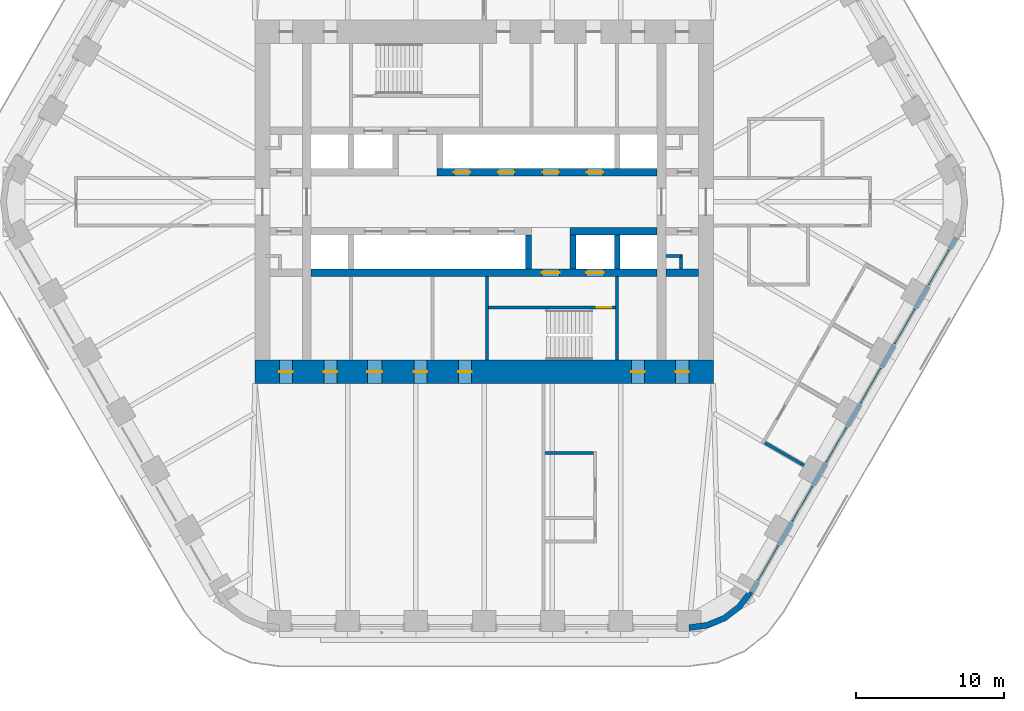
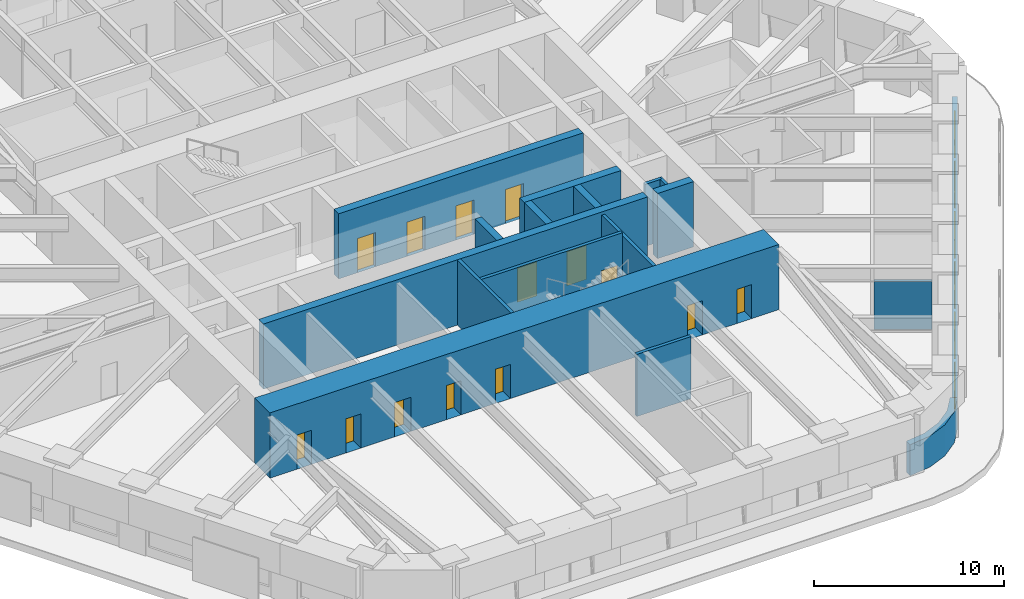
# One storey, part 15 of 20: 17 walls, 14 doors, 6 windows, 20 openings.
"""IFC4 building model written with IfcOpenShell, lengths in metres."""

import ifcopenshell
import ifcopenshell.guid

model = None  # the IFC model being written
_history = None  # IfcOwnerHistory: only IFC2X3 demands one
_inside = {}  # id of a spatial element -> (the spatial element, [elements in it])
_under = {}  # id of a project, library or spatial element -> (it, [spatial elements below it])
_declared = {}  # id of a project -> (the project, [libraries it declares])
_typed = {}  # id of a type object -> (the type object, [elements of that type])
_made_of = {}  # id of a material, layer set ... -> (it, [elements and type objects made of it])


def new_model(schema):
    """Start an empty IFC model of exactly this schema.

    Asked for "IFC4X3", IfcOpenShell would pick the latest addendum, in which some entities
    have other attributes; the version numbers below select the first issue.
    IFC2X3 requires an IfcOwnerHistory on every rooted entity: one is made here for all.
    """
    global model, _history
    if schema == "IFC4X3":
        model = ifcopenshell.file(schema_version=(4, 3, 0, 0))
    else:
        model = ifcopenshell.file(schema=schema)
    _inside.clear()
    _under.clear()
    _declared.clear()
    _typed.clear()
    _made_of.clear()
    _history = None
    if model.schema == "IFC2X3":
        org = make("IfcOrganization", Name="unknown")
        user = make(
            "IfcPersonAndOrganization",
            ThePerson=make("IfcPerson", FamilyName="unknown"),
            TheOrganization=org,
        )
        app = make(
            "IfcApplication",
            ApplicationDeveloper=org,
            Version="unknown",
            ApplicationFullName="unknown",
            ApplicationIdentifier="unknown",
        )
        _history = make(
            "IfcOwnerHistory",
            OwningUser=user,
            OwningApplication=app,
            ChangeAction="ADDED",
            CreationDate=0,
        )
    return model


def make(cls, **values):
    """One entity of the class cls with the attributes given. An attribute that is None is left unset."""
    return model.create_entity(
        cls, **{name: value for name, value in values.items() if value is not None}
    )


def rooted(cls, **values):
    """An entity with a GlobalId (a new one), such as an element, a storey or a relation."""
    return make(cls, GlobalId=ifcopenshell.guid.new(), OwnerHistory=_history, **values)


def si_unit(unit_type, name, prefix=None):
    """IfcSIUnit, for example si_unit("LENGTHUNIT", "METRE", prefix="MILLI")."""
    return make("IfcSIUnit", UnitType=unit_type, Prefix=prefix, Name=name)


def assignment(units):
    """IfcUnitAssignment: the units of a project."""
    return None if units is None else make("IfcUnitAssignment", Units=units)


def point(xyz):
    """IfcCartesianPoint."""
    return None if xyz is None else make("IfcCartesianPoint", Coordinates=xyz)


def direction(xyz):
    """IfcDirection."""
    return None if xyz is None else make("IfcDirection", DirectionRatios=xyz)


def frame(location, z_axis=None, x_axis=None):
    """IfcAxis2Placement3D, a coordinate frame: its origin and axes. An axis left out is left unset."""
    return make(
        "IfcAxis2Placement3D",
        Location=point(location),
        Axis=direction(z_axis),
        RefDirection=direction(x_axis),
    )


def frame_2d(location, x_axis=None):
    """IfcAxis2Placement2D, a coordinate frame in the plane: its origin and x axis."""
    return make(
        "IfcAxis2Placement2D", Location=point(location), RefDirection=direction(x_axis)
    )


def origin():
    """The frame at (0, 0, 0) with its axes left unset."""
    return frame((0.0, 0.0, 0.0))


def place(relative_to, where):
    """IfcLocalPlacement: puts the frame where relative to a parent placement (None: the world)."""
    return make(
        "IfcLocalPlacement", PlacementRelTo=relative_to, RelativePlacement=where
    )


def context(
    kind, dimensions, precision=None, world=None, true_north=None, identifier=None
):
    """IfcGeometricRepresentationContext, for example the 3D "Model" context."""
    return make(
        "IfcGeometricRepresentationContext",
        ContextIdentifier=identifier,
        ContextType=kind,
        CoordinateSpaceDimension=dimensions,
        Precision=precision,
        WorldCoordinateSystem=world,
        TrueNorth=true_north,
    )


def subcontext(parent, identifier, kind, view, scale=None):
    """IfcGeometricRepresentationSubContext, for example "Body" below "Model"."""
    return make(
        "IfcGeometricRepresentationSubContext",
        ContextIdentifier=identifier,
        ContextType=kind,
        ParentContext=parent,
        TargetScale=scale,
        TargetView=view,
    )


def project(units=None, contexts=None):
    """IfcProject with its units and contexts."""
    return rooted(
        "IfcProject",
        Name="project",
        RepresentationContexts=contexts,
        UnitsInContext=assignment(units),
    )


def spatial(cls, under=None, at=None, **own):
    """A site, building, storey or space (cls), placed at a placement, below another one or the project."""
    s = rooted(cls, ObjectPlacement=at, **own)
    if under is not None:
        _under.setdefault(under.id(), (under, []))[1].append(s)
    return s


def polyline(points):
    """IfcPolyline through the points."""
    return make("IfcPolyline", Points=[point(p) for p in points])


def profile(cls, at=None, kind="AREA", **sizes):
    """A parametric profile (cls). Its sizes go by their IFC names, for example OverallWidth=200.0."""
    return make(cls, ProfileType=kind, Position=at, **sizes)


def rectangle(**sizes):
    """IfcRectangleProfileDef."""
    return profile("IfcRectangleProfileDef", **sizes)


def outline(outer, holes=None, kind="AREA"):
    """IfcArbitraryClosedProfileDef: a profile drawn as a closed curve; with holes, ...WithVoids."""
    if holes is None:
        return make("IfcArbitraryClosedProfileDef", ProfileType=kind, OuterCurve=outer)
    return make(
        "IfcArbitraryProfileDefWithVoids",
        ProfileType=kind,
        OuterCurve=outer,
        InnerCurves=holes,
    )


def extrude(swept, where, along, depth):
    """IfcExtrudedAreaSolid: the profile swept, set in the frame where, extruded along a direction by depth."""
    return make(
        "IfcExtrudedAreaSolid",
        SweptArea=swept,
        Position=where,
        ExtrudedDirection=direction(along),
        Depth=depth,
    )


def shape(context_of_items, identifier, shape_type, items):
    """IfcShapeRepresentation: the items that make up one representation, for example the "Body"."""
    return make(
        "IfcShapeRepresentation",
        ContextOfItems=context_of_items,
        RepresentationIdentifier=identifier,
        RepresentationType=shape_type,
        Items=items,
    )


def material(Name=None, Category=None):
    """IfcMaterial."""
    return make("IfcMaterial", Name=Name, Category=Category)


def layer(
    of_material, thickness, ventilated=None, Name=None, Category=None, Priority=None
):
    """IfcMaterialLayer: one layer of a wall or slab, of a material (None: an air gap)."""
    return make(
        "IfcMaterialLayer",
        Material=of_material,
        LayerThickness=thickness,
        IsVentilated=ventilated,
        Name=Name,
        Category=Category,
        Priority=Priority,
    )


def layer_set(layers, Name=None):
    """IfcMaterialLayerSet."""
    return make("IfcMaterialLayerSet", MaterialLayers=layers, LayerSetName=Name)


def made_of(thing, what):
    """Note that an element or type object is made of a material, layer set ...; save() writes the relation."""
    if what is not None:
        _made_of.setdefault(what.id(), (what, []))[1].append(thing)
    return thing


def type_object(cls, material=None, **own):
    """A type object (cls), such as IfcWallType, which elements share."""
    return made_of(rooted(cls, **own), material)


def element(
    cls,
    number,
    at=None,
    inside=None,
    cuts=None,
    type_object=None,
    material=None,
    context=None,
    identifier="Body",
    shape_type=None,
    held_by="IfcProductDefinitionShape",
    body=None,
    shapes=None,
    **own,
):
    """One element of the class cls, such as IfcWall. Its Tag is "e" and its number.

    at: its placement. inside: the storey or other place that contains it. cuts: it is an
    opening in that element (IfcRelVoidsElement). A single representation is given by context,
    identifier, shape_type and body (its items); several are given by shapes. held_by: the class
    of the entity that holds the representations. save() writes the other relations.
    """
    e = rooted(cls, Tag="e%d" % number, ObjectPlacement=at, **own)
    if body is not None:
        shapes = [shape(context, identifier, shape_type, body)]
    if shapes is not None:
        e.Representation = make(held_by, Representations=shapes)
    if inside is not None:
        _inside.setdefault(inside.id(), (inside, []))[1].append(e)
    if cuts is not None:
        rooted(
            "IfcRelVoidsElement", RelatingBuildingElement=cuts, RelatedOpeningElement=e
        )
    if type_object is not None:
        _typed.setdefault(type_object.id(), (type_object, []))[1].append(e)
    return made_of(e, material)


def fill(opening, filler):
    """IfcRelFillsElement: the door or window that sits in an opening."""
    return rooted(
        "IfcRelFillsElement",
        RelatingOpeningElement=opening,
        RelatedBuildingElement=filler,
    )


def aggregate(whole, parts):
    """IfcRelAggregates: a whole, such as a stair, and the parts it consists of."""
    return rooted("IfcRelAggregates", RelatingObject=whole, RelatedObjects=parts)


def save(model, path):
    """Write the relations noted so far, then the file.

    IfcRelAggregates (storeys below a building ...), IfcRelContainedInSpatialStructure (elements
    in a storey), IfcRelDefinesByType, IfcRelAssociatesMaterial and IfcRelDeclares: one each for
    every whole, place, type object, material and project.
    """
    for whole, parts in _under.values():
        aggregate(whole, parts)
    for where, things in _inside.values():
        rooted(
            "IfcRelContainedInSpatialStructure",
            RelatedElements=things,
            RelatingStructure=where,
        )
    for kind, things in _typed.values():
        rooted("IfcRelDefinesByType", RelatedObjects=things, RelatingType=kind)
    for what, things in _made_of.values():
        rooted("IfcRelAssociatesMaterial", RelatedObjects=things, RelatingMaterial=what)
    for by, libraries in _declared.values():
        rooted("IfcRelDeclares", RelatingContext=by, RelatedDefinitions=libraries)
    model.write(path)


model = new_model("IFC4")

# Units and contexts
model_context = context("Model", 3, precision=1e-05, world=origin(), true_north=direction((0.0, 1.0)))
body_context = subcontext(model_context, "Body", "Model", "MODEL_VIEW")
ifc_project = project(units=[si_unit("LENGTHUNIT", "METRE"), si_unit("AREAUNIT", "SQUARE_METRE"), si_unit("VOLUMEUNIT", "CUBIC_METRE"), si_unit("PLANEANGLEUNIT", "RADIAN"), si_unit("MASSUNIT", "GRAM", prefix="KILO")], contexts=[model_context])

# Site, building, storey
site_placement = place(None, origin())
site = spatial("IfcSite", under=ifc_project, at=site_placement, CompositionType="ELEMENT")
building_placement = place(site_placement, origin())
building = spatial("IfcBuilding", under=site, at=building_placement, Name="Tarfa Lantern Tower", CompositionType="ELEMENT")
storey_placement = place(building_placement, frame((0.0, 0.0, 223.89990234375)))
storey = spatial("IfcBuildingStorey", under=building, at=storey_placement, Name="L50", CompositionType="ELEMENT", Elevation=223.89990234375)

# Wall, openings, windows
ifc_material_1 = material(Name="Limestone cladding on blockwork", Category="masonry")
ifc_layer_1 = layer(ifc_material_1, 0.300048828125)
ifc_layer_set_1 = layer_set([ifc_layer_1], Name="EW1 STONE-CLAD WALL 300")
wall_type_1 = type_object("IfcWallType", Name="EW1 STONE-CLAD WALL 300", PredefinedType="SOLIDWALL", material=ifc_layer_set_1)
wall_1_placement = place(storey_placement, frame((18.056640625, -26.425048828125, 0.0), z_axis=(0.0, 0.0, 1.0), x_axis=(0.500001051461, 0.866024796723, 0.0)))
wall_1 = element("IfcWall", 1, at=wall_1_placement, inside=storey, type_object=wall_type_1, Name="Stone wall SE", PredefinedType="SOLIDWALL", context=body_context, shape_type="SweptSolid", body=[
    extrude(rectangle(XDim=27.712890625, YDim=0.300048828125, at=frame_2d((13.8564453125, 0.0))), origin(), (0.0, 0.0, 1.0), 2.0),
])
opening_1_placement = place(wall_1_placement, frame((0.95947265625, 0.0, 0.60009765625)))
opening_1 = element("IfcOpeningElement", 2, at=opening_1_placement, cuts=wall_1, Name="Opening W13", PredefinedType="OPENING", context=body_context, shape_type="SweptSolid", body=[
    extrude(rectangle(XDim=2.699951171875, YDim=1.14990234375, at=frame_2d((1.35009765625, 0.574951171875))), frame((0.0, 0.159912109375, 0.0), z_axis=(0.0, -1.0, 0.0), x_axis=(1.0, 0.0, 0.0)), (0.0, 0.0, 1.0), 0.320068359375),
])
opening_2_placement = place(wall_1_placement, frame((5.578125, 0.0, 0.60009765625)))
opening_2 = element("IfcOpeningElement", 3, at=opening_2_placement, cuts=wall_1, Name="Opening W13", PredefinedType="OPENING", context=body_context, shape_type="SweptSolid", body=[
    extrude(rectangle(XDim=2.699951171875, YDim=1.14990234375, at=frame_2d((1.35009765625, 0.574951171875))), frame((0.0, 0.159912109375, 0.0), z_axis=(0.0, -1.0, 0.0), x_axis=(1.0, 0.0, 0.0)), (0.0, 0.0, 1.0), 0.320068359375),
])
opening_3_placement = place(wall_1_placement, frame((10.197021484375, 0.0, 0.60009765625)))
opening_3 = element("IfcOpeningElement", 4, at=opening_3_placement, cuts=wall_1, Name="Opening W13", PredefinedType="OPENING", context=body_context, shape_type="SweptSolid", body=[
    extrude(rectangle(XDim=2.699951171875, YDim=1.14990234375, at=frame_2d((1.35009765625, 0.574951171875))), frame((0.0, 0.159912109375, 0.0), z_axis=(0.0, -1.0, 0.0), x_axis=(1.0, 0.0, 0.0)), (0.0, 0.0, 1.0), 0.320068359375),
])
opening_4_placement = place(wall_1_placement, frame((14.81591796875, 0.0, 0.60009765625)))
opening_4 = element("IfcOpeningElement", 5, at=opening_4_placement, cuts=wall_1, Name="Opening W13", PredefinedType="OPENING", context=body_context, shape_type="SweptSolid", body=[
    extrude(rectangle(XDim=2.699951171875, YDim=1.14990234375, at=frame_2d((1.35009765625, 0.574951171875))), frame((0.0, 0.159912109375, 0.0), z_axis=(0.0, -1.0, 0.0), x_axis=(1.0, 0.0, 0.0)), (0.0, 0.0, 1.0), 0.320068359375),
])
opening_5_placement = place(wall_1_placement, frame((19.4345703125, 0.0, 0.60009765625)))
opening_5 = element("IfcOpeningElement", 6, at=opening_5_placement, cuts=wall_1, Name="Opening W13", PredefinedType="OPENING", context=body_context, shape_type="SweptSolid", body=[
    extrude(rectangle(XDim=2.699951171875, YDim=1.14990234375, at=frame_2d((1.35009765625, 0.574951171875))), frame((0.0, 0.159912109375, 0.0), z_axis=(0.0, -1.0, 0.0), x_axis=(1.0, 0.0, 0.0)), (0.0, 0.0, 1.0), 0.320068359375),
])
opening_6_placement = place(wall_1_placement, frame((24.053466796875, 0.0, 0.60009765625)))
opening_6 = element("IfcOpeningElement", 7, at=opening_6_placement, cuts=wall_1, Name="Opening W13", PredefinedType="OPENING", context=body_context, shape_type="SweptSolid", body=[
    extrude(rectangle(XDim=2.699951171875, YDim=1.14990234375, at=frame_2d((1.35009765625, 0.574951171875))), frame((0.0, 0.159912109375, 0.0), z_axis=(0.0, -1.0, 0.0), x_axis=(1.0, 0.0, 0.0)), (0.0, 0.0, 1.0), 0.320068359375),
])
ifc_material_2 = material(Name="Aluminium frame, double glazed", Category="aluminium")
window_type = type_object("IfcWindowType", Name="W13 FULL-HEIGHT GLAZING 2700x1150", PartitioningType="SINGLE_PANEL", PredefinedType="WINDOW", material=ifc_material_2)
window_1_placement = place(opening_1_placement, origin())
window_1 = element("IfcWindow", 8, at=window_1_placement, inside=storey, type_object=window_type, Name="Window SE 1", OverallHeight=1.14990234375, OverallWidth=2.699951171875, PartitioningType="SINGLE_PANEL", PredefinedType="WINDOW", context=body_context, shape_type="SweptSolid", body=[
    extrude(rectangle(XDim=2.699951171875, YDim=1.14990234375, at=frame_2d((1.35009765625, 0.574951171875))), frame((0.0, 0.030029296875, 0.0), z_axis=(0.0, -1.0, 0.0), x_axis=(1.0, 0.0, 0.0)), (0.0, 0.0, 1.0), 0.06005859375),
])
fill(opening_1, window_1)
window_2_placement = place(opening_2_placement, origin())
window_2 = element("IfcWindow", 9, at=window_2_placement, inside=storey, type_object=window_type, Name="Window SE 2", OverallHeight=1.14990234375, OverallWidth=2.699951171875, PartitioningType="SINGLE_PANEL", PredefinedType="WINDOW", context=body_context, shape_type="SweptSolid", body=[
    extrude(rectangle(XDim=2.699951171875, YDim=1.14990234375, at=frame_2d((1.35009765625, 0.574951171875))), frame((0.0, 0.030029296875, 0.0), z_axis=(0.0, -1.0, 0.0), x_axis=(1.0, 0.0, 0.0)), (0.0, 0.0, 1.0), 0.06005859375),
])
fill(opening_2, window_2)
window_3_placement = place(opening_3_placement, origin())
window_3 = element("IfcWindow", 10, at=window_3_placement, inside=storey, type_object=window_type, Name="Window SE 3", OverallHeight=1.14990234375, OverallWidth=2.699951171875, PartitioningType="SINGLE_PANEL", PredefinedType="WINDOW", context=body_context, shape_type="SweptSolid", body=[
    extrude(rectangle(XDim=2.699951171875, YDim=1.14990234375, at=frame_2d((1.35009765625, 0.574951171875))), frame((0.0, 0.030029296875, 0.0), z_axis=(0.0, -1.0, 0.0), x_axis=(1.0, 0.0, 0.0)), (0.0, 0.0, 1.0), 0.06005859375),
])
fill(opening_3, window_3)
window_4_placement = place(opening_4_placement, origin())
window_4 = element("IfcWindow", 11, at=window_4_placement, inside=storey, type_object=window_type, Name="Window SE 4", OverallHeight=1.14990234375, OverallWidth=2.699951171875, PartitioningType="SINGLE_PANEL", PredefinedType="WINDOW", context=body_context, shape_type="SweptSolid", body=[
    extrude(rectangle(XDim=2.699951171875, YDim=1.14990234375, at=frame_2d((1.35009765625, 0.574951171875))), frame((0.0, 0.030029296875, 0.0), z_axis=(0.0, -1.0, 0.0), x_axis=(1.0, 0.0, 0.0)), (0.0, 0.0, 1.0), 0.06005859375),
])
fill(opening_4, window_4)
window_5_placement = place(opening_5_placement, origin())
window_5 = element("IfcWindow", 12, at=window_5_placement, inside=storey, type_object=window_type, Name="Window SE 5", OverallHeight=1.14990234375, OverallWidth=2.699951171875, PartitioningType="SINGLE_PANEL", PredefinedType="WINDOW", context=body_context, shape_type="SweptSolid", body=[
    extrude(rectangle(XDim=2.699951171875, YDim=1.14990234375, at=frame_2d((1.35009765625, 0.574951171875))), frame((0.0, 0.030029296875, 0.0), z_axis=(0.0, -1.0, 0.0), x_axis=(1.0, 0.0, 0.0)), (0.0, 0.0, 1.0), 0.06005859375),
])
fill(opening_5, window_5)
window_6_placement = place(opening_6_placement, origin())
window_6 = element("IfcWindow", 13, at=window_6_placement, inside=storey, type_object=window_type, Name="Window SE 6", OverallHeight=1.14990234375, OverallWidth=2.699951171875, PartitioningType="SINGLE_PANEL", PredefinedType="WINDOW", context=body_context, shape_type="SweptSolid", body=[
    extrude(rectangle(XDim=2.699951171875, YDim=1.14990234375, at=frame_2d((1.35009765625, 0.574951171875))), frame((0.0, 0.030029296875, 0.0), z_axis=(0.0, -1.0, 0.0), x_axis=(1.0, 0.0, 0.0)), (0.0, 0.0, 1.0), 0.06005859375),
])
fill(opening_6, window_6)

# Walls
ifc_layer_2 = layer(ifc_material_1, 0.39990234375)
ifc_layer_set_2 = layer_set([ifc_layer_2], Name="EW2 CURVED STONE CORNER 400")
wall_type_2 = type_object("IfcWallType", Name="EW2 CURVED STONE CORNER 400", PredefinedType="SOLIDWALL", material=ifc_layer_set_2)
wall_2_placement = place(storey_placement, origin())
element("IfcWall", 14, at=wall_2_placement, inside=storey, type_object=wall_type_2, Name="Stone corner S-SE", PredefinedType="SOLIDWALL", context=body_context, shape_type="SweptSolid", body=[
    extrude(outline(polyline([(13.8564453125, -29.0), (15.150390625, -28.82958984375), (16.3564453125, -28.330078125), (17.391845703125, -27.53564453125), (18.1865234375, -26.5), (17.840087890625, -26.300048828125), (17.109130859375, -27.252685546875), (16.156494140625, -27.983642578125), (15.046875, -28.443359375), (13.8564453125, -28.60009765625), (13.8564453125, -29.0)])), origin(), (0.0, 0.0, 1.0), 2.0),
])
ifc_material_3 = material(Name="Concrete blockwork", Category="masonry")
ifc_layer_3 = layer(ifc_material_3, 0.199951171875)
ifc_layer_set_3 = layer_set([ifc_layer_3], Name="IW1 BLOCKWORK PARTITION 200 EI 120")
wall_type_3 = type_object("IfcWallType", Name="IW1 BLOCKWORK PARTITION 200 EI 120", PredefinedType="PARTITIONING", material=ifc_layer_set_3)
wall_3_placement = place(storey_placement, frame((9.0, -5.050048828125, 0.0), z_axis=(0.0, 0.0, 1.0), x_axis=(0.0, -1.0, 0.0)))
element("IfcWall", 15, at=wall_3_placement, inside=storey, type_object=wall_type_3, Name="Core partition", PredefinedType="PARTITIONING", context=body_context, shape_type="SweptSolid", body=[
    extrude(rectangle(XDim=5.64990234375, YDim=0.199951171875, at=frame_2d((2.824951171875, 0.0))), origin(), (0.0, 0.0, 1.0), 4.0),
])
for number, where, z_axis, x_axis, name in (
    (16, (13.300048828125, -3.64990234375, 0.0), (0.0, 0.0, 1.0), (-1.0, 0.0, 0.0), "Core partition"),
    (17, (13.300048828125, -3.550048828125, 0.0), (0.0, 0.0, 1.0), (0.0, -1.0, 0.0), "Core partition"),
):
    element("IfcWall", number, at=place(storey_placement, frame(where, z_axis=z_axis, x_axis=x_axis)), inside=storey, type_object=wall_type_3, Name=name, PredefinedType="PARTITIONING", context=body_context, shape_type="SweptSolid", body=[
        extrude(rectangle(XDim=1.0, YDim=0.199951171875, at=frame_2d((0.5, 0.0))), origin(), (0.0, 0.0, 1.0), 4.0),
    ])
ifc_material_4 = material(Name="Gypsum board on steel studs", Category="steel")
ifc_layer_4 = layer(ifc_material_4, 0.2099609375)
ifc_layer_set_4 = layer_set([ifc_layer_4], Name="IW2 ACOUSTIC PARTITION 200")
wall_type_4 = type_object("IfcWallType", Name="IW2 ACOUSTIC PARTITION 200", PredefinedType="PARTITIONING", material=ifc_layer_set_4)
wall_4_placement = place(storey_placement, frame((18.994873046875, -16.300048828125, 0.0), z_axis=(0.0, 0.0, 1.0), x_axis=(0.866037623948, -0.499978833458, 0.0)))
element("IfcWall", 18, at=wall_4_placement, inside=storey, type_object=wall_type_4, Name="Partition", PredefinedType="PARTITIONING", context=body_context, shape_type="SweptSolid", body=[
    extrude(rectangle(XDim=3.050048828125, YDim=0.199951171875, at=frame_2d((1.52490234375, 0.0))), origin(), (0.0, 0.0, 1.0), 3.081787109375),
])
wall_5_placement = place(storey_placement, frame((4.10009765625, -16.97509765625, 0.0), z_axis=(0.0, 0.0, 1.0), x_axis=(1.0, 0.0, 0.0)))
element("IfcWall", 19, at=wall_5_placement, inside=storey, type_object=wall_type_4, Name="Partition", PredefinedType="PARTITIONING", context=body_context, shape_type="SweptSolid", body=[
    extrude(rectangle(XDim=3.2998046875, YDim=0.199951171875, at=frame_2d((1.64990234375, 0.0))), origin(), (0.0, 0.0, 1.0), 4.0),
])
ifc_material_5 = material(Name="Concrete C80/95", Category="concrete")
ifc_layer_5 = layer(ifc_material_5, 0.199951171875)
ifc_layer_set_5 = layer_set([ifc_layer_5], Name="SW12 CORE WALL 200")
wall_type_5 = type_object("IfcWallType", Name="SW12 CORE WALL 200", PredefinedType="SHEAR", material=ifc_layer_set_5)
wall_6_placement = place(storey_placement, frame((0.199951171875, -5.050048828125, 0.0), z_axis=(0.0, 0.0, 1.0), x_axis=(0.0, -1.0, 0.0)))
element("IfcWall", 20, at=wall_6_placement, inside=storey, type_object=wall_type_5, Name="Core wall stair shaft S", PredefinedType="SHEAR", context=body_context, shape_type="SweptSolid", body=[
    extrude(rectangle(XDim=5.64990234375, YDim=0.199951171875, at=frame_2d((2.824951171875, 0.0))), origin(), (0.0, 0.0, 1.0), 4.2001953125),
])

# Wall, opening, door
wall_7_placement = place(storey_placement, frame((8.89990234375, -7.14990234375, 0.0), z_axis=(0.0, 0.0, 1.0), x_axis=(-1.0, 0.0, 0.0)))
wall_7 = element("IfcWall", 21, at=wall_7_placement, inside=storey, type_object=wall_type_5, Name="Core wall stair partition S", PredefinedType="SHEAR", context=body_context, shape_type="SweptSolid", body=[
    extrude(rectangle(XDim=8.599853515625, YDim=0.199951171875, at=frame_2d((4.2998046875, 0.0))), origin(), (0.0, 0.0, 1.0), 4.2001953125),
])
opening_7_placement = place(wall_7_placement, frame((0.300048828125, 0.0, 0.0)))
opening_7 = element("IfcOpeningElement", 22, at=opening_7_placement, cuts=wall_7, Name="Opening D24", PredefinedType="OPENING", context=body_context, shape_type="SweptSolid", body=[
    extrude(rectangle(XDim=1.0, YDim=2.199951171875, at=frame_2d((0.5, 1.10009765625))), frame((0.0, 0.10986328125, 0.0), z_axis=(0.0, -1.0, 0.0), x_axis=(1.0, 0.0, 0.0)), (0.0, 0.0, 1.0), 0.219970703125),
])
ifc_material_6 = material(Name="Steel fire door", Category="steel")
door_type_1 = type_object("IfcDoorType", Name="DF2 STAIR DOOR 1000x2200", OperationType="SINGLE_SWING_LEFT", PredefinedType="DOOR", material=ifc_material_6)
door_1_placement = place(opening_7_placement, origin())
door_1 = element("IfcDoor", 23, at=door_1_placement, inside=storey, type_object=door_type_1, Name="Stair door", OperationType="SINGLE_SWING_RIGHT", OverallHeight=2.199951171875, OverallWidth=1.0, PredefinedType="DOOR", context=body_context, shape_type="SweptSolid", body=[
    extrude(rectangle(XDim=1.0, YDim=2.199951171875, at=frame_2d((0.5, 1.10009765625))), frame((0.0, 0.02490234375, 0.0), z_axis=(0.0, -1.0, 0.0), x_axis=(1.0, 0.0, 0.0)), (0.0, 0.0, 1.0), 0.050048828125),
])
fill(opening_7, door_1)

# Wall, openings, doors
ifc_layer_6 = layer(ifc_material_5, 0.5)
ifc_layer_set_6 = layer_set([ifc_layer_6], Name="SW5 CORE WALL 500")
wall_type_6 = type_object("IfcWallType", Name="SW5 CORE WALL 500", PredefinedType="SHEAR", material=ifc_layer_set_6)
wall_8_placement = place(storey_placement, frame((-3.199951171875, 2.0, 0.0), z_axis=(0.0, 0.0, 1.0), x_axis=(1.0, 0.0, 0.0)))
wall_8 = element("IfcWall", 24, at=wall_8_placement, inside=storey, type_object=wall_type_6, Name="Core wall lobby east N", PredefinedType="SHEAR", context=body_context, shape_type="SweptSolid", body=[
    extrude(rectangle(XDim=14.89990234375, YDim=0.5, at=frame_2d((7.449951171875, 0.0))), origin(), (0.0, 0.0, 1.0), 4.2001953125),
])
opening_8_placement = place(wall_8_placement, frame((1.14990234375, 0.0, 0.0)))
opening_8 = element("IfcOpeningElement", 25, at=opening_8_placement, cuts=wall_8, Name="Opening LD03", PredefinedType="OPENING", context=body_context, shape_type="SweptSolid", body=[
    extrude(rectangle(XDim=1.10009765625, YDim=2.199951171875, at=frame_2d((0.550048828125, 1.10009765625))), frame((0.0, 0.260009765625, 0.0), z_axis=(0.0, -1.0, 0.0), x_axis=(1.0, 0.0, 0.0)), (0.0, 0.0, 1.0), 0.52001953125),
])
opening_9_placement = place(wall_8_placement, frame((4.14990234375, 0.0, 0.0)))
opening_9 = element("IfcOpeningElement", 26, at=opening_9_placement, cuts=wall_8, Name="Opening LD04", PredefinedType="OPENING", context=body_context, shape_type="SweptSolid", body=[
    extrude(rectangle(XDim=1.10009765625, YDim=2.199951171875, at=frame_2d((0.550048828125, 1.10009765625))), frame((0.0, 0.260009765625, 0.0), z_axis=(0.0, -1.0, 0.0), x_axis=(1.0, 0.0, 0.0)), (0.0, 0.0, 1.0), 0.52001953125),
])
opening_10_placement = place(wall_8_placement, frame((7.14990234375, 0.0, 0.0)))
opening_10 = element("IfcOpeningElement", 27, at=opening_10_placement, cuts=wall_8, Name="Opening LD05", PredefinedType="OPENING", context=body_context, shape_type="SweptSolid", body=[
    extrude(rectangle(XDim=1.10009765625, YDim=2.199951171875, at=frame_2d((0.550048828125, 1.10009765625))), frame((0.0, 0.260009765625, 0.0), z_axis=(0.0, -1.0, 0.0), x_axis=(1.0, 0.0, 0.0)), (0.0, 0.0, 1.0), 0.52001953125),
])
opening_11_placement = place(wall_8_placement, frame((10.14990234375, 0.0, 0.0)))
opening_11 = element("IfcOpeningElement", 28, at=opening_11_placement, cuts=wall_8, Name="Opening LD06", PredefinedType="OPENING", context=body_context, shape_type="SweptSolid", body=[
    extrude(rectangle(XDim=1.10009765625, YDim=2.199951171875, at=frame_2d((0.550048828125, 1.10009765625))), frame((0.0, 0.260009765625, 0.0), z_axis=(0.0, -1.0, 0.0), x_axis=(1.0, 0.0, 0.0)), (0.0, 0.0, 1.0), 0.52001953125),
])
ifc_material_7 = material(Name="Stainless steel lift door", Category="steel")
door_type_2 = type_object("IfcDoorType", Name="LD2 LIFT LANDING DOOR 1100x2200", OperationType="SLIDING_TO_LEFT", PredefinedType="DOOR", material=ifc_material_7)
door_2_placement = place(opening_8_placement, frame((1.10009765625, 0.0, 0.0), z_axis=(0.0, 0.0, 1.0), x_axis=(-1.0, 0.0, 0.0)))
door_2 = element("IfcDoor", 29, at=door_2_placement, inside=storey, type_object=door_type_2, Name="Landing door PC1", OperationType="SLIDING_TO_LEFT", OverallHeight=2.199951171875, OverallWidth=1.10009765625, PredefinedType="DOOR", context=body_context, shape_type="SweptSolid", body=[
    extrude(rectangle(XDim=1.10009765625, YDim=2.199951171875, at=frame_2d((0.550048828125, 1.10009765625))), frame((0.0, 0.02490234375, 0.0), z_axis=(0.0, -1.0, 0.0), x_axis=(1.0, 0.0, 0.0)), (0.0, 0.0, 1.0), 0.050048828125),
])
fill(opening_8, door_2)
door_3_placement = place(opening_9_placement, frame((1.10009765625, 0.0, 0.0), z_axis=(0.0, 0.0, 1.0), x_axis=(-1.0, 0.0, 0.0)))
door_3 = element("IfcDoor", 30, at=door_3_placement, inside=storey, type_object=door_type_2, Name="Landing door PC2", OperationType="SLIDING_TO_LEFT", OverallHeight=2.199951171875, OverallWidth=1.10009765625, PredefinedType="DOOR", context=body_context, shape_type="SweptSolid", body=[
    extrude(rectangle(XDim=1.10009765625, YDim=2.199951171875, at=frame_2d((0.550048828125, 1.10009765625))), frame((0.0, 0.02490234375, 0.0), z_axis=(0.0, -1.0, 0.0), x_axis=(1.0, 0.0, 0.0)), (0.0, 0.0, 1.0), 0.050048828125),
])
fill(opening_9, door_3)
door_4_placement = place(opening_10_placement, frame((1.10009765625, 0.0, 0.0), z_axis=(0.0, 0.0, 1.0), x_axis=(-1.0, 0.0, 0.0)))
door_4 = element("IfcDoor", 31, at=door_4_placement, inside=storey, type_object=door_type_2, Name="Landing door PC3", OperationType="SLIDING_TO_LEFT", OverallHeight=2.199951171875, OverallWidth=1.10009765625, PredefinedType="DOOR", context=body_context, shape_type="SweptSolid", body=[
    extrude(rectangle(XDim=1.10009765625, YDim=2.199951171875, at=frame_2d((0.550048828125, 1.10009765625))), frame((0.0, 0.02490234375, 0.0), z_axis=(0.0, -1.0, 0.0), x_axis=(1.0, 0.0, 0.0)), (0.0, 0.0, 1.0), 0.050048828125),
])
fill(opening_10, door_4)
door_5_placement = place(opening_11_placement, frame((1.10009765625, 0.0, 0.0), z_axis=(0.0, 0.0, 1.0), x_axis=(-1.0, 0.0, 0.0)))
door_5 = element("IfcDoor", 32, at=door_5_placement, inside=storey, type_object=door_type_2, Name="Landing door PC4", OperationType="SLIDING_TO_LEFT", OverallHeight=2.199951171875, OverallWidth=1.10009765625, PredefinedType="DOOR", context=body_context, shape_type="SweptSolid", body=[
    extrude(rectangle(XDim=1.10009765625, YDim=2.199951171875, at=frame_2d((0.550048828125, 1.10009765625))), frame((0.0, 0.02490234375, 0.0), z_axis=(0.0, -1.0, 0.0), x_axis=(1.0, 0.0, 0.0)), (0.0, 0.0, 1.0), 0.050048828125),
])
fill(opening_11, door_5)

# Walls
wall_9_placement = place(storey_placement, frame((11.699951171875, -2.0, 0.0), z_axis=(0.0, 0.0, 1.0), x_axis=(-1.0, 0.0, 0.0)))
element("IfcWall", 33, at=wall_9_placement, inside=storey, type_object=wall_type_6, Name="Core wall lobby west S", PredefinedType="SHEAR", context=body_context, shape_type="SweptSolid", body=[
    extrude(rectangle(XDim=5.89990234375, YDim=0.5, at=frame_2d((2.949951171875, 0.0))), origin(), (0.0, 0.0, 1.0), 4.2001953125),
])
wall_10_placement = place(storey_placement, frame((14.5, -4.800048828125, 0.0), z_axis=(0.0, 0.0, 1.0), x_axis=(-1.0, 0.0, 0.0)))
element("IfcWall", 34, at=wall_10_placement, inside=storey, type_object=wall_type_6, Name="Core wall rear S", PredefinedType="SHEAR", context=body_context, shape_type="SweptSolid", body=[
    extrude(rectangle(XDim=2.199951171875, YDim=0.5, at=frame_2d((1.10009765625, 0.0))), origin(), (0.0, 0.0, 1.0), 4.2001953125),
])

# Wall, openings, doors
wall_11_placement = place(storey_placement, frame((11.699951171875, -4.800048828125, 0.0), z_axis=(0.0, 0.0, 1.0), x_axis=(-1.0, 0.0, 0.0)))
wall_11 = element("IfcWall", 35, at=wall_11_placement, inside=storey, type_object=wall_type_6, Name="Core wall rear S", PredefinedType="SHEAR", context=body_context, shape_type="SweptSolid", body=[
    extrude(rectangle(XDim=23.39990234375, YDim=0.5, at=frame_2d((11.699951171875, 0.0))), origin(), (0.0, 0.0, 1.0), 4.2001953125),
])
opening_12_placement = place(wall_11_placement, frame((6.60009765625, 0.0, 0.0)))
opening_12 = element("IfcOpeningElement", 36, at=opening_12_placement, cuts=wall_11, Name="Opening D10", PredefinedType="OPENING", context=body_context, shape_type="SweptSolid", body=[
    extrude(rectangle(XDim=1.199951171875, YDim=2.199951171875, at=frame_2d((0.60009765625, 1.10009765625))), frame((0.0, 0.260009765625, 0.0), z_axis=(0.0, -1.0, 0.0), x_axis=(1.0, 0.0, 0.0)), (0.0, 0.0, 1.0), 0.52001953125),
])
opening_13_placement = place(wall_11_placement, frame((3.60009765625, 0.0, 0.0)))
opening_13 = element("IfcOpeningElement", 37, at=opening_13_placement, cuts=wall_11, Name="Opening LD02", PredefinedType="OPENING", context=body_context, shape_type="SweptSolid", body=[
    extrude(rectangle(XDim=1.199951171875, YDim=2.199951171875, at=frame_2d((0.60009765625, 1.10009765625))), frame((0.0, 0.260009765625, 0.0), z_axis=(0.0, -1.0, 0.0), x_axis=(1.0, 0.0, 0.0)), (0.0, 0.0, 1.0), 0.52001953125),
])
door_type_3 = type_object("IfcDoorType", Name="DF1 FIREFIGHTING LOBBY DOOR 1200x2200", OperationType="SINGLE_SWING_LEFT", PredefinedType="DOOR", material=ifc_material_6)
door_6_placement = place(opening_12_placement, origin())
door_6 = element("IfcDoor", 38, at=door_6_placement, inside=storey, type_object=door_type_3, Name="Firefighting lobby door", OperationType="SINGLE_SWING_LEFT", OverallHeight=2.199951171875, OverallWidth=1.199951171875, PredefinedType="DOOR", context=body_context, shape_type="SweptSolid", body=[
    extrude(rectangle(XDim=1.199951171875, YDim=2.199951171875, at=frame_2d((0.60009765625, 1.10009765625))), frame((0.0, 0.02490234375, 0.0), z_axis=(0.0, -1.0, 0.0), x_axis=(1.0, 0.0, 0.0)), (0.0, 0.0, 1.0), 0.050048828125),
])
fill(opening_12, door_6)
door_type_4 = type_object("IfcDoorType", Name="LD1 LIFT LANDING DOOR 1200x2200", OperationType="SLIDING_TO_LEFT", PredefinedType="DOOR", material=ifc_material_7)
door_7_placement = place(opening_13_placement, origin())
door_7 = element("IfcDoor", 39, at=door_7_placement, inside=storey, type_object=door_type_4, Name="Landing door FL2", OperationType="SLIDING_TO_LEFT", OverallHeight=2.199951171875, OverallWidth=1.199951171875, PredefinedType="DOOR", context=body_context, shape_type="SweptSolid", body=[
    extrude(rectangle(XDim=1.199951171875, YDim=2.199951171875, at=frame_2d((0.60009765625, 1.10009765625))), frame((0.0, 0.02490234375, 0.0), z_axis=(0.0, -1.0, 0.0), x_axis=(1.0, 0.0, 0.0)), (0.0, 0.0, 1.0), 0.050048828125),
])
fill(opening_13, door_7)

# Walls
ifc_layer_7 = layer(ifc_material_5, 0.39990234375)
ifc_layer_set_7 = layer_set([ifc_layer_7], Name="SW6 CORE WALL 400")
wall_type_7 = type_object("IfcWallType", Name="SW6 CORE WALL 400", PredefinedType="SHEAR", material=ifc_layer_set_7)
for number, where, z_axis, x_axis, name in (
    (40, (9.0, -2.25, 0.0), (0.0, 0.0, 1.0), (0.0, -1.0, 0.0), "Core wall divider S"),
    (41, (6.0, -2.25, 0.0), (0.0, 0.0, 1.0), (0.0, -1.0, 0.0), "Core wall divider S"),
    (42, (3.0, -2.25, 0.0), (0.0, 0.0, 1.0), (0.0, -1.0, 0.0), "Core wall divider S"),
):
    element("IfcWall", number, at=place(storey_placement, frame(where, z_axis=z_axis, x_axis=x_axis)), inside=storey, type_object=wall_type_7, Name=name, PredefinedType="SHEAR", context=body_context, shape_type="SweptSolid", body=[
        extrude(rectangle(XDim=2.300048828125, YDim=0.39990234375, at=frame_2d((1.14990234375, 0.0))), origin(), (0.0, 0.0, 1.0), 4.2001953125),
    ])

# Wall, openings, doors
ifc_layer_8 = layer(ifc_material_5, 1.60009765625)
ifc_layer_set_8 = layer_set([ifc_layer_8], Name="SW7 CORE WALL 1600")
wall_type_8 = type_object("IfcWallType", Name="SW7 CORE WALL 1600", PredefinedType="SHEAR", material=ifc_layer_set_8)
wall_12_placement = place(storey_placement, frame((15.5, -11.5, 0.0), z_axis=(0.0, 0.0, 1.0), x_axis=(-1.0, 0.0, 0.0)))
wall_12 = element("IfcWall", 43, at=wall_12_placement, inside=storey, type_object=wall_type_8, Name="Core wall S", PredefinedType="SHEAR", context=body_context, shape_type="SweptSolid", body=[
    extrude(rectangle(XDim=31.0, YDim=1.60009765625, at=frame_2d((15.5, 0.0))), origin(), (0.0, 0.0, 1.0), 4.2001953125),
])
opening_14_placement = place(wall_12_placement, frame((16.35009765625, 0.0, 0.0)))
opening_14 = element("IfcOpeningElement", 44, at=opening_14_placement, cuts=wall_12, Name="Opening D18", PredefinedType="OPENING", context=body_context, shape_type="SweptSolid", body=[
    extrude(rectangle(XDim=0.89990234375, YDim=2.199951171875, at=frame_2d((0.449951171875, 1.10009765625))), frame((0.0, 0.81005859375, 0.0), z_axis=(0.0, -1.0, 0.0), x_axis=(1.0, 0.0, 0.0)), (0.0, 0.0, 1.0), 1.6201171875),
])
opening_15_placement = place(wall_12_placement, frame((19.35009765625, 0.0, 0.0)))
opening_15 = element("IfcOpeningElement", 45, at=opening_15_placement, cuts=wall_12, Name="Opening D20", PredefinedType="OPENING", context=body_context, shape_type="SweptSolid", body=[
    extrude(rectangle(XDim=0.89990234375, YDim=2.199951171875, at=frame_2d((0.449951171875, 1.10009765625))), frame((0.0, 0.81005859375, 0.0), z_axis=(0.0, -1.0, 0.0), x_axis=(1.0, 0.0, 0.0)), (0.0, 0.0, 1.0), 1.6201171875),
])
opening_16_placement = place(wall_12_placement, frame((22.39990234375, 0.0, 0.0)))
opening_16 = element("IfcOpeningElement", 46, at=opening_16_placement, cuts=wall_12, Name="Opening D22", PredefinedType="OPENING", context=body_context, shape_type="SweptSolid", body=[
    extrude(rectangle(XDim=1.0, YDim=2.199951171875, at=frame_2d((0.5, 1.10009765625))), frame((0.0, 0.81005859375, 0.0), z_axis=(0.0, -1.0, 0.0), x_axis=(1.0, 0.0, 0.0)), (0.0, 0.0, 1.0), 1.6201171875),
])
opening_17_placement = place(wall_12_placement, frame((1.64990234375, 0.0, 0.0)))
opening_17 = element("IfcOpeningElement", 47, at=opening_17_placement, cuts=wall_12, Name="Opening D08", PredefinedType="OPENING", context=body_context, shape_type="SweptSolid", body=[
    extrude(rectangle(XDim=0.89990234375, YDim=2.199951171875, at=frame_2d((0.449951171875, 1.10009765625))), frame((0.0, 0.81005859375, 0.0), z_axis=(0.0, -1.0, 0.0), x_axis=(1.0, 0.0, 0.0)), (0.0, 0.0, 1.0), 1.6201171875),
])
opening_18_placement = place(wall_12_placement, frame((4.64990234375, 0.0, 0.0)))
opening_18 = element("IfcOpeningElement", 48, at=opening_18_placement, cuts=wall_12, Name="Opening D06", PredefinedType="OPENING", context=body_context, shape_type="SweptSolid", body=[
    extrude(rectangle(XDim=0.89990234375, YDim=2.199951171875, at=frame_2d((0.449951171875, 1.10009765625))), frame((0.0, 0.81005859375, 0.0), z_axis=(0.0, -1.0, 0.0), x_axis=(1.0, 0.0, 0.0)), (0.0, 0.0, 1.0), 1.6201171875),
])
opening_19_placement = place(wall_12_placement, frame((25.449951171875, 0.0, 0.0)))
opening_19 = element("IfcOpeningElement", 49, at=opening_19_placement, cuts=wall_12, Name="Opening D04", PredefinedType="OPENING", context=body_context, shape_type="SweptSolid", body=[
    extrude(rectangle(XDim=0.89990234375, YDim=2.199951171875, at=frame_2d((0.449951171875, 1.10009765625))), frame((0.0, 0.81005859375, 0.0), z_axis=(0.0, -1.0, 0.0), x_axis=(1.0, 0.0, 0.0)), (0.0, 0.0, 1.0), 1.6201171875),
])
opening_20_placement = place(wall_12_placement, frame((28.449951171875, 0.0, 0.0)))
opening_20 = element("IfcOpeningElement", 50, at=opening_20_placement, cuts=wall_12, Name="Opening D02", PredefinedType="OPENING", context=body_context, shape_type="SweptSolid", body=[
    extrude(rectangle(XDim=0.89990234375, YDim=2.199951171875, at=frame_2d((0.449951171875, 1.10009765625))), frame((0.0, 0.81005859375, 0.0), z_axis=(0.0, -1.0, 0.0), x_axis=(1.0, 0.0, 0.0)), (0.0, 0.0, 1.0), 1.6201171875),
])
door_type_5 = type_object("IfcDoorType", Name="DF3 CORE ROOM DOOR 900x2200", OperationType="SINGLE_SWING_LEFT", PredefinedType="DOOR", material=ifc_material_6)
door_8_placement = place(opening_14_placement, frame((0.89990234375, 0.0, 0.0), z_axis=(0.0, 0.0, 1.0), x_axis=(-1.0, 0.0, 0.0)))
door_8 = element("IfcDoor", 51, at=door_8_placement, inside=storey, type_object=door_type_5, Name="Core door", OperationType="SINGLE_SWING_LEFT", OverallHeight=2.199951171875, OverallWidth=0.89990234375, PredefinedType="DOOR", context=body_context, shape_type="SweptSolid", body=[
    extrude(rectangle(XDim=0.89990234375, YDim=2.199951171875, at=frame_2d((0.449951171875, 1.10009765625))), frame((0.0, 0.02490234375, 0.0), z_axis=(0.0, -1.0, 0.0), x_axis=(1.0, 0.0, 0.0)), (0.0, 0.0, 1.0), 0.050048828125),
])
fill(opening_14, door_8)
door_9_placement = place(opening_15_placement, frame((0.89990234375, 0.0, 0.0), z_axis=(0.0, 0.0, 1.0), x_axis=(-1.0, 0.0, 0.0)))
door_9 = element("IfcDoor", 52, at=door_9_placement, inside=storey, type_object=door_type_5, Name="Core door", OperationType="SINGLE_SWING_LEFT", OverallHeight=2.199951171875, OverallWidth=0.89990234375, PredefinedType="DOOR", context=body_context, shape_type="SweptSolid", body=[
    extrude(rectangle(XDim=0.89990234375, YDim=2.199951171875, at=frame_2d((0.449951171875, 1.10009765625))), frame((0.0, 0.02490234375, 0.0), z_axis=(0.0, -1.0, 0.0), x_axis=(1.0, 0.0, 0.0)), (0.0, 0.0, 1.0), 0.050048828125),
])
fill(opening_15, door_9)
door_type_6 = type_object("IfcDoorType", Name="DF4 CORE ROOM DOOR 1000x2200", OperationType="SINGLE_SWING_LEFT", PredefinedType="DOOR", material=ifc_material_6)
door_10_placement = place(opening_16_placement, frame((1.0, 0.0, 0.0), z_axis=(0.0, 0.0, 1.0), x_axis=(-1.0, 0.0, 0.0)))
door_10 = element("IfcDoor", 53, at=door_10_placement, inside=storey, type_object=door_type_6, Name="Core door", OperationType="SINGLE_SWING_RIGHT", OverallHeight=2.199951171875, OverallWidth=1.0, PredefinedType="DOOR", context=body_context, shape_type="SweptSolid", body=[
    extrude(rectangle(XDim=1.0, YDim=2.199951171875, at=frame_2d((0.5, 1.10009765625))), frame((0.0, 0.02490234375, 0.0), z_axis=(0.0, -1.0, 0.0), x_axis=(1.0, 0.0, 0.0)), (0.0, 0.0, 1.0), 0.050048828125),
])
fill(opening_16, door_10)
door_type_7 = type_object("IfcDoorType", Name="DF5 RISER DOOR 900x2200", OperationType="SINGLE_SWING_LEFT", PredefinedType="DOOR", material=ifc_material_6)
door_11_placement = place(opening_17_placement, frame((0.89990234375, 0.0, 0.0), z_axis=(0.0, 0.0, 1.0), x_axis=(-1.0, 0.0, 0.0)))
door_11 = element("IfcDoor", 54, at=door_11_placement, inside=storey, type_object=door_type_7, Name="Riser door", OperationType="SINGLE_SWING_LEFT", OverallHeight=2.199951171875, OverallWidth=0.89990234375, PredefinedType="DOOR", context=body_context, shape_type="SweptSolid", body=[
    extrude(rectangle(XDim=0.89990234375, YDim=2.199951171875, at=frame_2d((0.449951171875, 1.10009765625))), frame((0.0, 0.02490234375, 0.0), z_axis=(0.0, -1.0, 0.0), x_axis=(1.0, 0.0, 0.0)), (0.0, 0.0, 1.0), 0.050048828125),
])
fill(opening_17, door_11)
door_12_placement = place(opening_18_placement, frame((0.89990234375, 0.0, 0.0), z_axis=(0.0, 0.0, 1.0), x_axis=(-1.0, 0.0, 0.0)))
door_12 = element("IfcDoor", 55, at=door_12_placement, inside=storey, type_object=door_type_7, Name="Riser door", OperationType="SINGLE_SWING_LEFT", OverallHeight=2.199951171875, OverallWidth=0.89990234375, PredefinedType="DOOR", context=body_context, shape_type="SweptSolid", body=[
    extrude(rectangle(XDim=0.89990234375, YDim=2.199951171875, at=frame_2d((0.449951171875, 1.10009765625))), frame((0.0, 0.02490234375, 0.0), z_axis=(0.0, -1.0, 0.0), x_axis=(1.0, 0.0, 0.0)), (0.0, 0.0, 1.0), 0.050048828125),
])
fill(opening_18, door_12)
door_13_placement = place(opening_19_placement, frame((0.89990234375, 0.0, 0.0), z_axis=(0.0, 0.0, 1.0), x_axis=(-1.0, 0.0, 0.0)))
door_13 = element("IfcDoor", 56, at=door_13_placement, inside=storey, type_object=door_type_7, Name="Riser door", OperationType="SINGLE_SWING_RIGHT", OverallHeight=2.199951171875, OverallWidth=0.89990234375, PredefinedType="DOOR", context=body_context, shape_type="SweptSolid", body=[
    extrude(rectangle(XDim=0.89990234375, YDim=2.199951171875, at=frame_2d((0.449951171875, 1.10009765625))), frame((0.0, 0.02490234375, 0.0), z_axis=(0.0, -1.0, 0.0), x_axis=(1.0, 0.0, 0.0)), (0.0, 0.0, 1.0), 0.050048828125),
])
fill(opening_19, door_13)
door_14_placement = place(opening_20_placement, frame((0.89990234375, 0.0, 0.0), z_axis=(0.0, 0.0, 1.0), x_axis=(-1.0, 0.0, 0.0)))
door_14 = element("IfcDoor", 57, at=door_14_placement, inside=storey, type_object=door_type_7, Name="Riser door", OperationType="SINGLE_SWING_RIGHT", OverallHeight=2.199951171875, OverallWidth=0.89990234375, PredefinedType="DOOR", context=body_context, shape_type="SweptSolid", body=[
    extrude(rectangle(XDim=0.89990234375, YDim=2.199951171875, at=frame_2d((0.449951171875, 1.10009765625))), frame((0.0, 0.02490234375, 0.0), z_axis=(0.0, -1.0, 0.0), x_axis=(1.0, 0.0, 0.0)), (0.0, 0.0, 1.0), 0.050048828125),
])
fill(opening_20, door_14)

save(model, "model.ifc")
